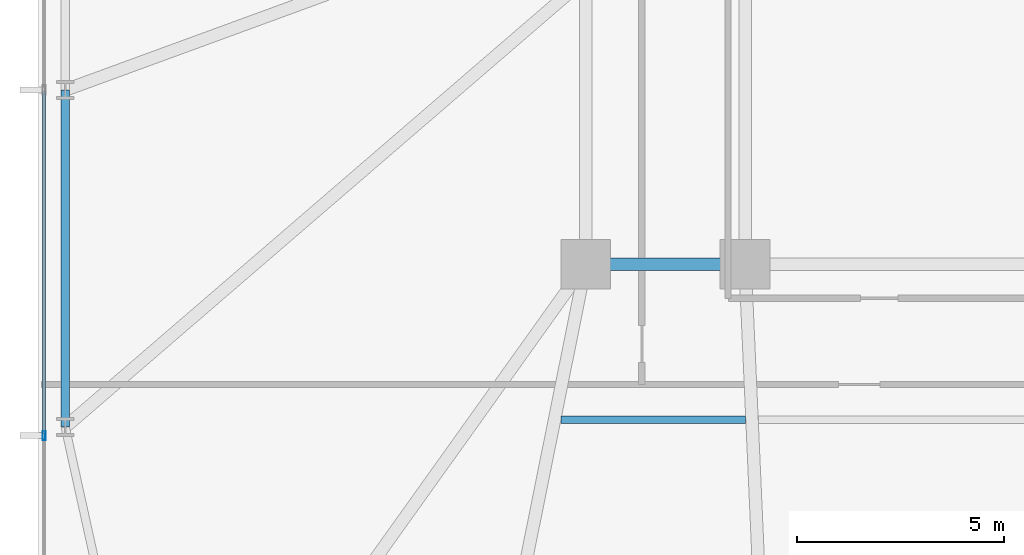
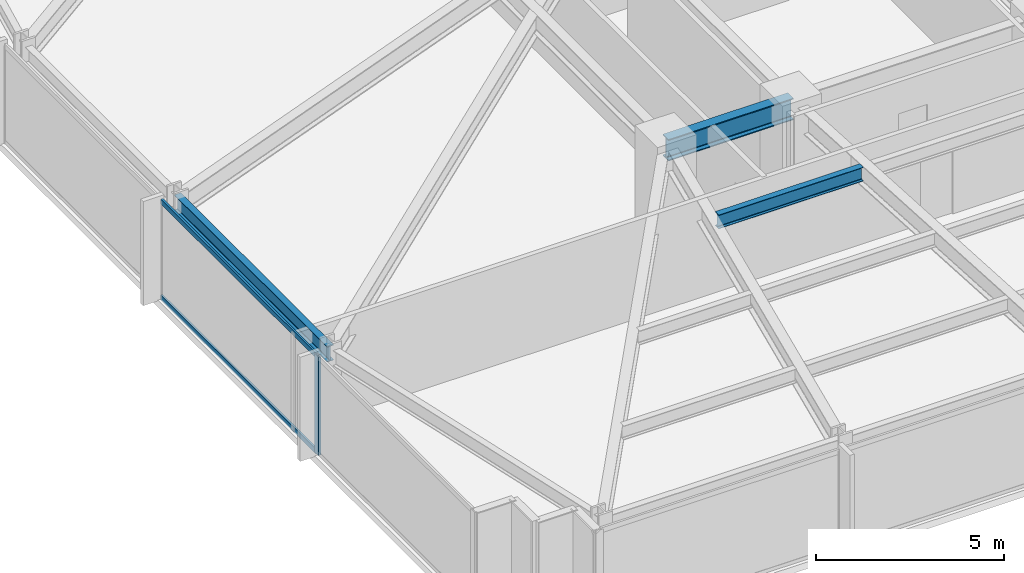
# One storey, part 4 of 33: 3 beams, 3 members, 1 element without a shape of its own.
"""IFC4 building model written with IfcOpenShell, lengths in metres."""

from ifc_helpers import new_model, si_unit, direction, frame, origin, origin_2d, place, context, subcontext, project, spatial, hollow_rectangle, i_section, extrude, material, material_profile, profile_set, type_object, element, aggregate, save


model = new_model("IFC4")

# Units and contexts
model_context = context("Model", 3, precision=1e-05, world=origin(), true_north=direction((0.0, 1.0)))
body_context = subcontext(model_context, "Body", "Model", "MODEL_VIEW")
ifc_project = project(units=[si_unit("LENGTHUNIT", "METRE"), si_unit("AREAUNIT", "SQUARE_METRE"), si_unit("VOLUMEUNIT", "CUBIC_METRE"), si_unit("PLANEANGLEUNIT", "RADIAN"), si_unit("MASSUNIT", "GRAM", prefix="KILO")], contexts=[model_context])

# Site, building, storey
site_placement = place(None, origin())
site = spatial("IfcSite", under=ifc_project, at=site_placement, CompositionType="ELEMENT")
building_placement = place(site_placement, origin())
building = spatial("IfcBuilding", under=site, at=building_placement, Name="Yelkora Congress Tower", CompositionType="ELEMENT")
storey_placement = place(building_placement, frame((0.0, 0.0, 47.39990234375)))
storey = spatial("IfcBuildingStorey", under=building, at=storey_placement, Name="L11", CompositionType="ELEMENT", Elevation=47.39990234375)

# Beams
ifc_material_1 = material(Name="Steel S355J2", Category="steel")
ifc_material_profile_1 = material_profile(ifc_material_1, i_section(OverallWidth=0.300048828125, OverallDepth=0.699951171875, WebThickness=0.01708984375, FlangeThickness=0.031982421875, FilletRadius=0.027099609375, at=origin_2d()), Name="HEB 700")
ifc_profile_set_1 = profile_set([ifc_material_profile_1], Name="Steel S355J2")
beam_type_1 = type_object("IfcBeamType", Name="BM-GIRD-HEB700", PredefinedType="BEAM", material=ifc_profile_set_1)
beam_1_placement = place(storey_placement, frame((19.199951171875, 25.199951171875, 2.830078125), z_axis=(1.0, 0.0, 0.0), x_axis=(0.0, 1.0, 0.0)))
element("IfcBeam", 1, at=beam_1_placement, inside=storey, type_object=beam_type_1, Name="L11 Spine Grid D Girder 1", PredefinedType="BEAM", context=body_context, shape_type="SweptSolid", body=[
    extrude(i_section(OverallWidth=0.300048828125, OverallDepth=0.699951171875, WebThickness=0.01708984375, FlangeThickness=0.031982421875, FilletRadius=0.027099609375, at=origin_2d()), origin(), (0.0, 0.0, 1.0), 3.840087890625),
])
ifc_material_profile_2 = material_profile(ifc_material_1, i_section(OverallWidth=0.18994140625, OverallDepth=0.449951171875, WebThickness=0.009521484375, FlangeThickness=0.0146484375, FilletRadius=0.02099609375, at=origin_2d()), Name="IPE 450")
ifc_profile_set_2 = profile_set([ifc_material_profile_2], Name="Steel S355J2")
beam_type_2 = type_object("IfcBeamType", Name="BM-JOIST-IPE450", PredefinedType="JOIST", material=ifc_profile_set_2)
beam_2_placement = place(storey_placement, frame((18.60546875, 21.449951171875, 2.955078125), z_axis=(1.0, 0.0, 0.0), x_axis=(0.0, 1.0, 0.0)))
element("IfcBeam", 2, at=beam_2_placement, inside=storey, type_object=beam_type_2, Name="L11 Composite Floor Joist 17", PredefinedType="JOIST", context=body_context, shape_type="SweptSolid", body=[
    extrude(i_section(OverallWidth=0.18994140625, OverallDepth=0.449951171875, WebThickness=0.009521484375, FlangeThickness=0.0146484375, FilletRadius=0.02099609375, at=origin_2d()), origin(), (0.0, 0.0, 1.0), 4.4404296875),
])
ifc_material_profile_3 = material_profile(ifc_material_1, i_section(OverallWidth=0.199951171875, OverallDepth=0.5, WebThickness=0.01025390625, FlangeThickness=0.01611328125, FilletRadius=0.02099609375, at=origin_2d()), Name="IPE 500")
ifc_profile_set_3 = profile_set([ifc_material_profile_3], Name="Steel S355J2")
beam_type_3 = type_object("IfcBeamType", Name="BM-SPAN-IPE500", PredefinedType="SPANDREL", material=ifc_profile_set_3)
beam_3_placement = place(storey_placement, frame((6.64990234375, 29.39990234375, 2.93017578125), z_axis=(0.0, -1.0, 0.0), x_axis=(1.0, 0.0, 0.0)))
element("IfcBeam", 3, at=beam_3_placement, inside=storey, type_object=beam_type_3, Name="L11 Perimeter Beam 19", PredefinedType="SPANDREL", context=body_context, shape_type="SweptSolid", body=[
    extrude(i_section(OverallWidth=0.199951171875, OverallDepth=0.5, WebThickness=0.01025390625, FlangeThickness=0.01611328125, FilletRadius=0.02099609375, at=origin_2d()), origin(), (0.0, 0.0, 1.0), 8.125),
])

# Curtain wall, members
ifc_material_2 = material(Name="Anodised aluminium and insulated glass", Category="aluminium")
curtain_wall_type = type_object("IfcCurtainWallType", Name="CW-SYS-B1", PredefinedType="NOTDEFINED", material=ifc_material_2)
curtain_wall_placement = place(storey_placement, origin())
curtain_wall = element("IfcCurtainWall", 4, at=curtain_wall_placement, inside=storey, type_object=curtain_wall_type, Name="L11 Unitised Curtain Wall 5", PredefinedType="NOTDEFINED")
ifc_material_3 = material(Name="Anodised aluminium 6063-T6", Category="aluminium")
ifc_material_profile_4 = material_profile(ifc_material_3, hollow_rectangle(XDim=0.074951171875, YDim=0.219970703125, WallThickness=0.0048828125, at=origin_2d()), Name="ALU 75x220x5")
ifc_profile_set_4 = profile_set([ifc_material_profile_4], Name="Anodised aluminium 6063-T6")
member_type_1 = type_object("IfcMemberType", Name="MEM-ML-B1", PredefinedType="MULLION", material=ifc_profile_set_4)
member_1_placement = place(storey_placement, frame((6.139892578125, 21.070068359375, 0.0), z_axis=(0.0, 0.0, 1.0), x_axis=(-1.0, 0.0, 0.0)))
member_1 = element("IfcMember", 5, at=member_1_placement, type_object=member_type_1, Name="CW-B1 mullion 2", PredefinedType="MULLION", context=body_context, shape_type="SweptSolid", body=[
    extrude(hollow_rectangle(XDim=0.074951171875, YDim=0.219970703125, WallThickness=0.0048828125, at=origin_2d()), origin(), (0.0, 0.0, 1.0), 3.18017578125),
])
ifc_material_profile_5 = material_profile(ifc_material_3, hollow_rectangle(XDim=0.06494140625, YDim=0.159912109375, WallThickness=0.00390625, at=origin_2d()), Name="ALU 65x160x4")
ifc_profile_set_5 = profile_set([ifc_material_profile_5], Name="Anodised aluminium 6063-T6")
member_type_2 = type_object("IfcMemberType", Name="MEM-TR-B1", PredefinedType="USERDEFINED", material=ifc_profile_set_5)
member_2_placement = place(storey_placement, frame((6.139892578125, 21.107421875, 0.03271484375), z_axis=(0.0, 1.0, 0.0), x_axis=(-1.0, 0.0, 0.0)))
member_2 = element("IfcMember", 6, at=member_2_placement, type_object=member_type_2, Name="CW-B1 transom 2.1", ObjectType="TRANSOM", PredefinedType="USERDEFINED", context=body_context, shape_type="SweptSolid", body=[
    extrude(hollow_rectangle(XDim=0.06494140625, YDim=0.159912109375, WallThickness=0.00390625, at=origin_2d()), origin(), (0.0, 0.0, 1.0), 8.255126953125),
])
member_3_placement = place(storey_placement, frame((6.139892578125, 21.107421875, 3.147705078125), z_axis=(0.0, 1.0, 0.0), x_axis=(-1.0, 0.0, 0.0)))
member_3 = element("IfcMember", 7, at=member_3_placement, type_object=member_type_2, Name="CW-B1 transom 2.2", ObjectType="TRANSOM", PredefinedType="USERDEFINED", context=body_context, shape_type="SweptSolid", body=[
    extrude(hollow_rectangle(XDim=0.06494140625, YDim=0.159912109375, WallThickness=0.00390625, at=origin_2d()), origin(), (0.0, 0.0, 1.0), 8.255126953125),
])
aggregate(curtain_wall, [member_1, member_2, member_3])

save(model, "model.ifc")
